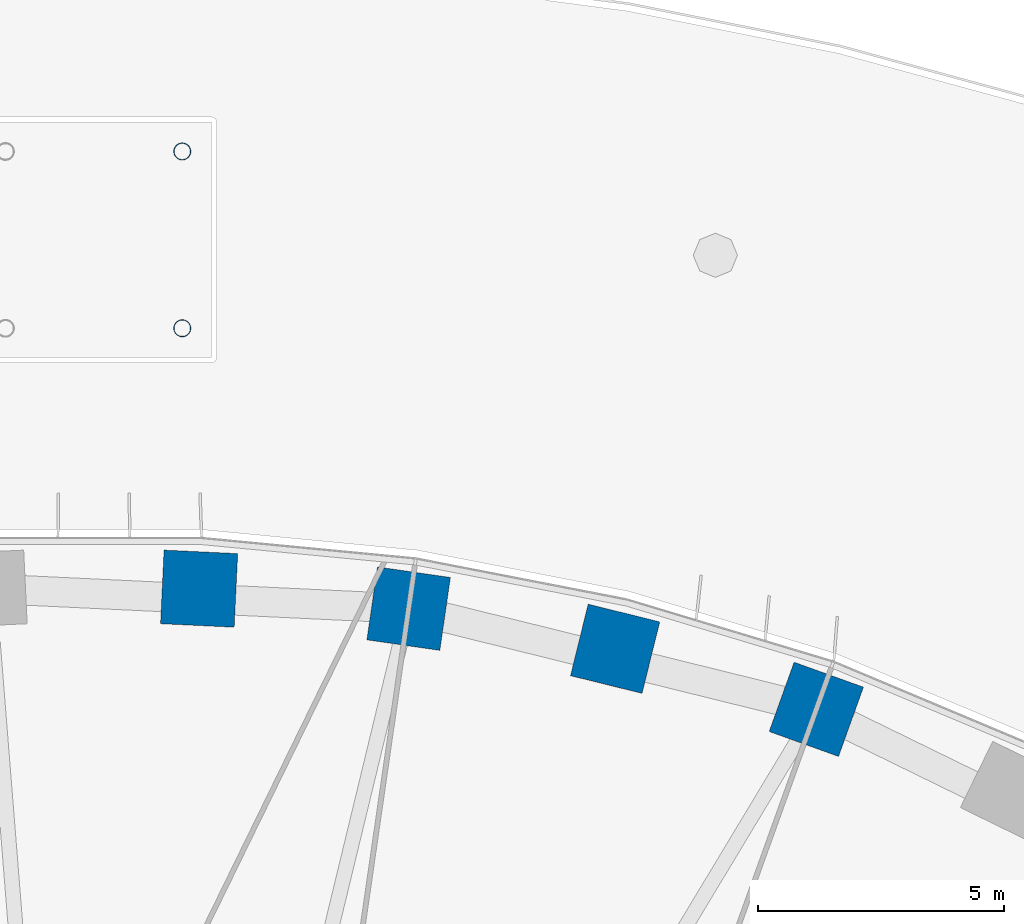
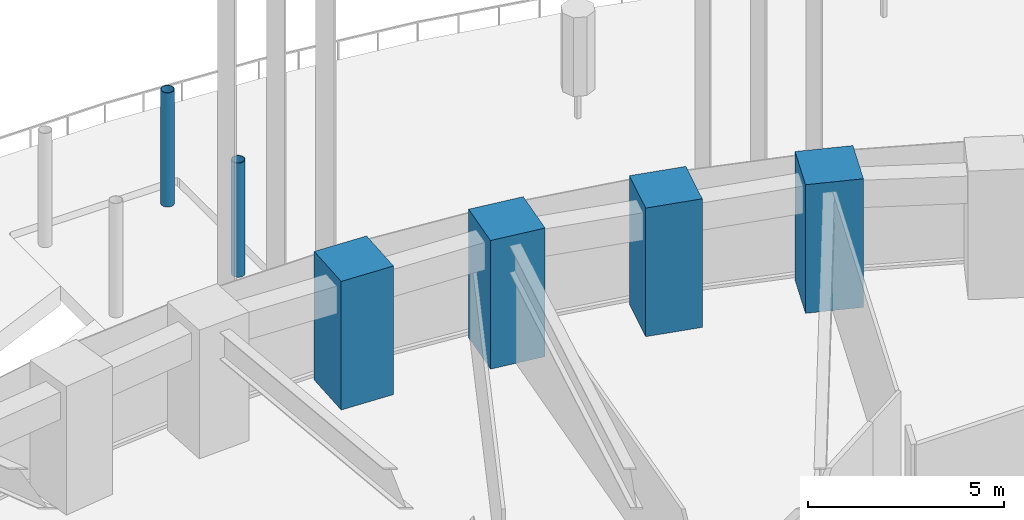
# One storey, part 8 of 30: 6 columns.
"""IFC4 building model written with IfcOpenShell, lengths in metres."""

from ifc_helpers import new_model, si_unit, direction, frame, origin, origin_2d, place, context, subcontext, project, spatial, rectangle, hollow_circle, extrude, material, material_profile, profile_set, type_object, element, save


model = new_model("IFC4")

# Units and contexts
model_context = context("Model", 3, precision=1e-05, world=origin(), true_north=direction((0.0, 1.0)))
body_context = subcontext(model_context, "Body", "Model", "MODEL_VIEW")
ifc_project = project(units=[si_unit("LENGTHUNIT", "METRE"), si_unit("AREAUNIT", "SQUARE_METRE"), si_unit("VOLUMEUNIT", "CUBIC_METRE"), si_unit("PLANEANGLEUNIT", "RADIAN"), si_unit("MASSUNIT", "GRAM", prefix="KILO")], contexts=[model_context])

# Site, building, storey
site_placement = place(None, origin())
site = spatial("IfcSite", under=ifc_project, at=site_placement, CompositionType="ELEMENT")
building_placement = place(site_placement, origin())
building = spatial("IfcBuilding", under=site, at=building_placement, Name="Noorbagh Ring Tower", CompositionType="ELEMENT")
storey_placement = place(building_placement, frame((0.0, 0.0, 30.5)))
storey = spatial("IfcBuildingStorey", under=building, at=storey_placement, Name="L05", CompositionType="ELEMENT", Elevation=30.5)

# Columns
ifc_material_1 = material(Name="Steel S355", Category="steel")
ifc_material_profile_1 = material_profile(ifc_material_1, hollow_circle(Radius=0.177734375, WallThickness=0.01611328125, at=origin_2d()), Name="CHS355.6x16")
ifc_profile_set_1 = profile_set([ifc_material_profile_1], Name="Steel S355")
column_type_1 = type_object("IfcColumnType", Name="GND-CHHATRI-COL", PredefinedType="COLUMN", material=ifc_profile_set_1)
for number, where, z_axis, x_axis, name in (
    (1, (1.800048828125, 32.199951171875, 0.449951171875), (0.0, 0.0, 1.0), (1.0, 0.0, 0.0), "Chhatri 3 column"),
    (2, (1.800048828125, 35.800048828125, 0.449951171875), (0.0, 0.0, 1.0), (1.0, 0.0, 0.0), "Chhatri 3 column"),
):
    element("IfcColumn", number, at=place(storey_placement, frame(where, z_axis=z_axis, x_axis=x_axis)), inside=storey, type_object=column_type_1, Name=name, PredefinedType="COLUMN", context=body_context, shape_type="SweptSolid", body=[
        extrude(hollow_circle(Radius=0.177734375, WallThickness=0.01611328125, at=origin_2d()), origin(), (0.0, 0.0, 1.0), 3.550048828125),
    ])
ifc_material_2 = material(Name="Concrete C70/85", Category="concrete")
ifc_material_profile_2 = material_profile(ifc_material_2, rectangle(XDim=1.5, YDim=1.5, at=origin_2d()), Name="RC1500x1500")
ifc_profile_set_2 = profile_set([ifc_material_profile_2], Name="Concrete C70/85")
column_type_2 = type_object("IfcColumnType", Name="STR-COL-RC1500x1500-C70-85", PredefinedType="COLUMN", material=ifc_profile_set_2)
for number, where, z_axis, x_axis, name in (
    (3, (14.70947265625, 24.44091796875, 0.0), (0.0, 0.0, 1.0), (-0.941024726094, 0.338337797003, 0.0), "L05/col/R1-09"),
    (4, (10.61328125, 25.673583984375, 0.0), (0.0, 0.0, 1.0), (-0.970829360981, 0.239771457553, 0.0), "L05/col/R1-10"),
    (5, (6.4091796875, 26.49072265625, 0.0), (0.0, 0.0, 1.0), (-0.989713114048, 0.143066249975, 0.0), "L05/col/R1-11"),
    (6, (2.14306640625, 26.89794921875, 0.0), (0.0, 0.0, 1.0), (-0.998868731212, 0.047552684538, 0.0), "L05/col/R1-12"),
):
    element("IfcColumn", number, at=place(storey_placement, frame(where, z_axis=z_axis, x_axis=x_axis)), inside=storey, type_object=column_type_2, Name=name, PredefinedType="COLUMN", context=body_context, shape_type="SweptSolid", body=[
        extrude(rectangle(XDim=1.5, YDim=1.5, at=origin_2d()), origin(), (0.0, 0.0, 1.0), 4.0),
    ])

save(model, "model.ifc")
